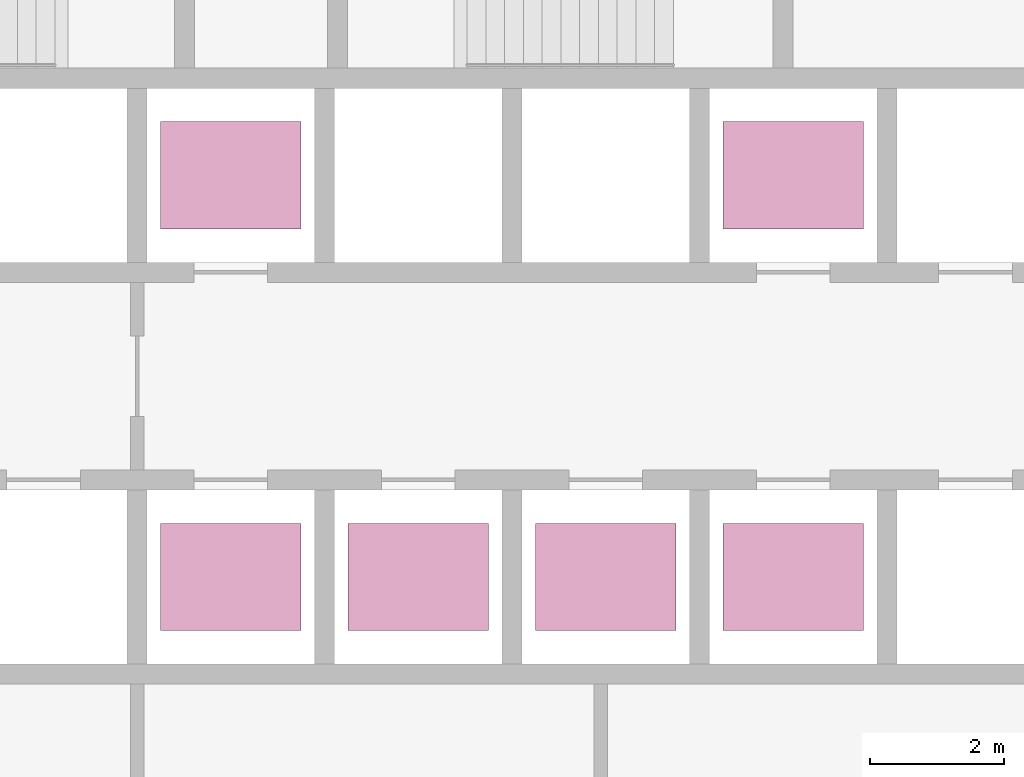
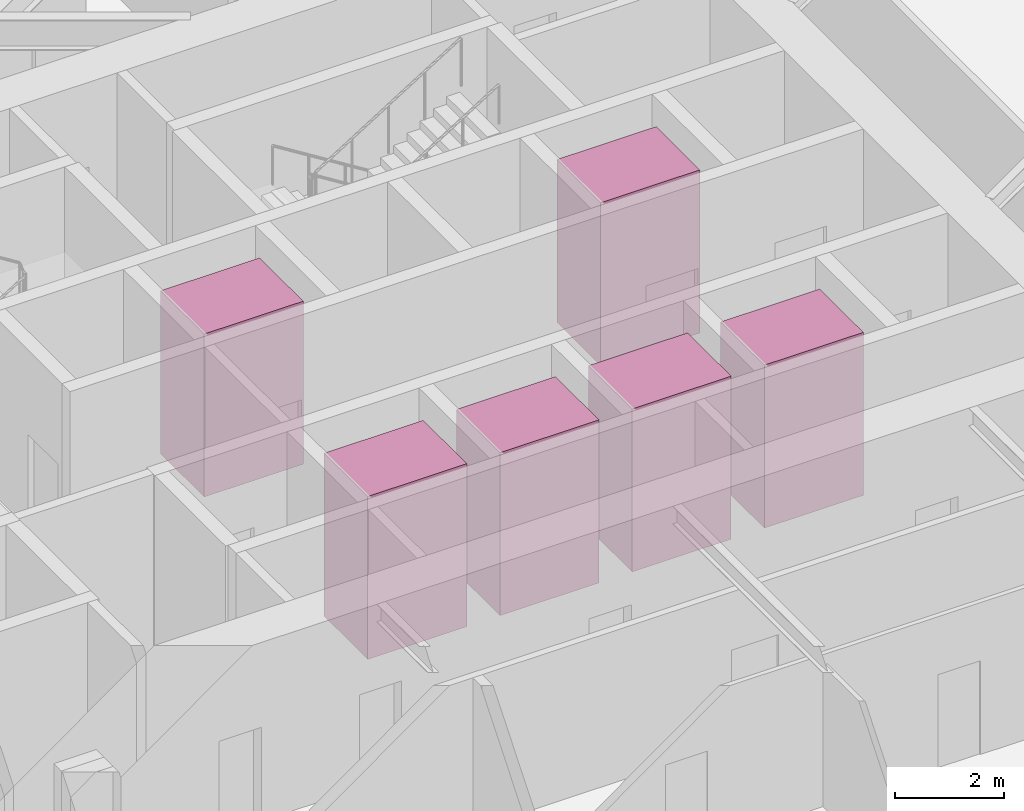
# One storey, part 21 of 21: 6 transport elements.
"""IFC4 building model written with IfcOpenShell, lengths in metres."""

import ifcopenshell
import ifcopenshell.guid

model = None  # the IFC model being written
_history = None  # IfcOwnerHistory: only IFC2X3 demands one
_inside = {}  # id of a spatial element -> (the spatial element, [elements in it])
_under = {}  # id of a project, library or spatial element -> (it, [spatial elements below it])
_declared = {}  # id of a project -> (the project, [libraries it declares])
_typed = {}  # id of a type object -> (the type object, [elements of that type])
_made_of = {}  # id of a material, layer set ... -> (it, [elements and type objects made of it])


def new_model(schema):
    """Start an empty IFC model of exactly this schema.

    Asked for "IFC4X3", IfcOpenShell would pick the latest addendum, in which some entities
    have other attributes; the version numbers below select the first issue.
    IFC2X3 requires an IfcOwnerHistory on every rooted entity: one is made here for all.
    """
    global model, _history
    if schema == "IFC4X3":
        model = ifcopenshell.file(schema_version=(4, 3, 0, 0))
    else:
        model = ifcopenshell.file(schema=schema)
    _inside.clear()
    _under.clear()
    _declared.clear()
    _typed.clear()
    _made_of.clear()
    _history = None
    if model.schema == "IFC2X3":
        org = make("IfcOrganization", Name="unknown")
        user = make(
            "IfcPersonAndOrganization",
            ThePerson=make("IfcPerson", FamilyName="unknown"),
            TheOrganization=org,
        )
        app = make(
            "IfcApplication",
            ApplicationDeveloper=org,
            Version="unknown",
            ApplicationFullName="unknown",
            ApplicationIdentifier="unknown",
        )
        _history = make(
            "IfcOwnerHistory",
            OwningUser=user,
            OwningApplication=app,
            ChangeAction="ADDED",
            CreationDate=0,
        )
    return model


def make(cls, **values):
    """One entity of the class cls with the attributes given. An attribute that is None is left unset."""
    return model.create_entity(
        cls, **{name: value for name, value in values.items() if value is not None}
    )


def rooted(cls, **values):
    """An entity with a GlobalId (a new one), such as an element, a storey or a relation."""
    return make(cls, GlobalId=ifcopenshell.guid.new(), OwnerHistory=_history, **values)


def si_unit(unit_type, name, prefix=None):
    """IfcSIUnit, for example si_unit("LENGTHUNIT", "METRE", prefix="MILLI")."""
    return make("IfcSIUnit", UnitType=unit_type, Prefix=prefix, Name=name)


def assignment(units):
    """IfcUnitAssignment: the units of a project."""
    return None if units is None else make("IfcUnitAssignment", Units=units)


def point(xyz):
    """IfcCartesianPoint."""
    return None if xyz is None else make("IfcCartesianPoint", Coordinates=xyz)


def direction(xyz):
    """IfcDirection."""
    return None if xyz is None else make("IfcDirection", DirectionRatios=xyz)


def frame(location, z_axis=None, x_axis=None):
    """IfcAxis2Placement3D, a coordinate frame: its origin and axes. An axis left out is left unset."""
    return make(
        "IfcAxis2Placement3D",
        Location=point(location),
        Axis=direction(z_axis),
        RefDirection=direction(x_axis),
    )


def frame_2d(location, x_axis=None):
    """IfcAxis2Placement2D, a coordinate frame in the plane: its origin and x axis."""
    return make(
        "IfcAxis2Placement2D", Location=point(location), RefDirection=direction(x_axis)
    )


def origin():
    """The frame at (0, 0, 0) with its axes left unset."""
    return frame((0.0, 0.0, 0.0))


def origin_2d():
    """The frame at (0, 0) in the plane with its x axis left unset."""
    return frame_2d((0.0, 0.0))


def place(relative_to, where):
    """IfcLocalPlacement: puts the frame where relative to a parent placement (None: the world)."""
    return make(
        "IfcLocalPlacement", PlacementRelTo=relative_to, RelativePlacement=where
    )


def context(
    kind, dimensions, precision=None, world=None, true_north=None, identifier=None
):
    """IfcGeometricRepresentationContext, for example the 3D "Model" context."""
    return make(
        "IfcGeometricRepresentationContext",
        ContextIdentifier=identifier,
        ContextType=kind,
        CoordinateSpaceDimension=dimensions,
        Precision=precision,
        WorldCoordinateSystem=world,
        TrueNorth=true_north,
    )


def subcontext(parent, identifier, kind, view, scale=None):
    """IfcGeometricRepresentationSubContext, for example "Body" below "Model"."""
    return make(
        "IfcGeometricRepresentationSubContext",
        ContextIdentifier=identifier,
        ContextType=kind,
        ParentContext=parent,
        TargetScale=scale,
        TargetView=view,
    )


def project(units=None, contexts=None):
    """IfcProject with its units and contexts."""
    return rooted(
        "IfcProject",
        Name="project",
        RepresentationContexts=contexts,
        UnitsInContext=assignment(units),
    )


def spatial(cls, under=None, at=None, **own):
    """A site, building, storey or space (cls), placed at a placement, below another one or the project."""
    s = rooted(cls, ObjectPlacement=at, **own)
    if under is not None:
        _under.setdefault(under.id(), (under, []))[1].append(s)
    return s


def profile(cls, at=None, kind="AREA", **sizes):
    """A parametric profile (cls). Its sizes go by their IFC names, for example OverallWidth=200.0."""
    return make(cls, ProfileType=kind, Position=at, **sizes)


def rectangle(**sizes):
    """IfcRectangleProfileDef."""
    return profile("IfcRectangleProfileDef", **sizes)


def extrude(swept, where, along, depth):
    """IfcExtrudedAreaSolid: the profile swept, set in the frame where, extruded along a direction by depth."""
    return make(
        "IfcExtrudedAreaSolid",
        SweptArea=swept,
        Position=where,
        ExtrudedDirection=direction(along),
        Depth=depth,
    )


def shape(context_of_items, identifier, shape_type, items):
    """IfcShapeRepresentation: the items that make up one representation, for example the "Body"."""
    return make(
        "IfcShapeRepresentation",
        ContextOfItems=context_of_items,
        RepresentationIdentifier=identifier,
        RepresentationType=shape_type,
        Items=items,
    )


def material(Name=None, Category=None):
    """IfcMaterial."""
    return make("IfcMaterial", Name=Name, Category=Category)


def made_of(thing, what):
    """Note that an element or type object is made of a material, layer set ...; save() writes the relation."""
    if what is not None:
        _made_of.setdefault(what.id(), (what, []))[1].append(thing)
    return thing


def type_object(cls, material=None, **own):
    """A type object (cls), such as IfcWallType, which elements share."""
    return made_of(rooted(cls, **own), material)


def element(
    cls,
    number,
    at=None,
    inside=None,
    cuts=None,
    type_object=None,
    material=None,
    context=None,
    identifier="Body",
    shape_type=None,
    held_by="IfcProductDefinitionShape",
    body=None,
    shapes=None,
    **own,
):
    """One element of the class cls, such as IfcWall. Its Tag is "e" and its number.

    at: its placement. inside: the storey or other place that contains it. cuts: it is an
    opening in that element (IfcRelVoidsElement). A single representation is given by context,
    identifier, shape_type and body (its items); several are given by shapes. held_by: the class
    of the entity that holds the representations. save() writes the other relations.
    """
    e = rooted(cls, Tag="e%d" % number, ObjectPlacement=at, **own)
    if body is not None:
        shapes = [shape(context, identifier, shape_type, body)]
    if shapes is not None:
        e.Representation = make(held_by, Representations=shapes)
    if inside is not None:
        _inside.setdefault(inside.id(), (inside, []))[1].append(e)
    if cuts is not None:
        rooted(
            "IfcRelVoidsElement", RelatingBuildingElement=cuts, RelatedOpeningElement=e
        )
    if type_object is not None:
        _typed.setdefault(type_object.id(), (type_object, []))[1].append(e)
    return made_of(e, material)


def aggregate(whole, parts):
    """IfcRelAggregates: a whole, such as a stair, and the parts it consists of."""
    return rooted("IfcRelAggregates", RelatingObject=whole, RelatedObjects=parts)


def save(model, path):
    """Write the relations noted so far, then the file.

    IfcRelAggregates (storeys below a building ...), IfcRelContainedInSpatialStructure (elements
    in a storey), IfcRelDefinesByType, IfcRelAssociatesMaterial and IfcRelDeclares: one each for
    every whole, place, type object, material and project.
    """
    for whole, parts in _under.values():
        aggregate(whole, parts)
    for where, things in _inside.values():
        rooted(
            "IfcRelContainedInSpatialStructure",
            RelatedElements=things,
            RelatingStructure=where,
        )
    for kind, things in _typed.values():
        rooted("IfcRelDefinesByType", RelatedObjects=things, RelatingType=kind)
    for what, things in _made_of.values():
        rooted("IfcRelAssociatesMaterial", RelatedObjects=things, RelatingMaterial=what)
    for by, libraries in _declared.values():
        rooted("IfcRelDeclares", RelatingContext=by, RelatedDefinitions=libraries)
    model.write(path)


model = new_model("IFC4")

# Units and contexts
model_context = context("Model", 3, precision=1e-05, world=origin(), true_north=direction((0.0, 1.0)))
body_context = subcontext(model_context, "Body", "Model", "MODEL_VIEW")
ifc_project = project(units=[si_unit("LENGTHUNIT", "METRE"), si_unit("AREAUNIT", "SQUARE_METRE"), si_unit("VOLUMEUNIT", "CUBIC_METRE"), si_unit("PLANEANGLEUNIT", "RADIAN"), si_unit("MASSUNIT", "GRAM", prefix="KILO")], contexts=[model_context])

# Site, building, storey
site_placement = place(None, origin())
site = spatial("IfcSite", under=ifc_project, at=site_placement, CompositionType="ELEMENT")
building_placement = place(site_placement, origin())
building = spatial("IfcBuilding", under=site, at=building_placement, Name="Firuza Gate Tower and Library", CompositionType="ELEMENT")
storey_placement = place(building_placement, frame((0.0, 0.0, 90.39990234375)))
storey = spatial("IfcBuildingStorey", under=building, at=storey_placement, Name="L20", CompositionType="ELEMENT", Elevation=90.39990234375)

# Transport elements
ifc_material = material(Name="Stainless steel and glass", Category="steel")
transport_element_type = type_object("IfcTransportElementType", Name="Low-rise lift car 2100x1600", PredefinedType="ELEVATOR", material=ifc_material)
for number, where, z_axis, x_axis, name in (
    (1, (74.64990234375, 70.300048828125, 0.000244140625), (0.0, 0.0, 1.0), (1.0, 0.0, 0.0), "Low-rise lift LR1"),
    (2, (77.449951171875, 70.300048828125, 0.000244140625), (0.0, 0.0, 1.0), (1.0, 0.0, 0.0), "Low-rise lift LR2"),
    (3, (80.25, 70.300048828125, 0.000244140625), (0.0, 0.0, 1.0), (1.0, 0.0, 0.0), "Low-rise lift LR3"),
    (4, (74.64990234375, 76.300048828125, 0.000244140625), (0.0, 0.0, 1.0), (1.0, 0.0, 0.0), "Low-rise lift LR4"),
    (5, (83.050048828125, 70.300048828125, 0.000244140625), (0.0, 0.0, 1.0), (1.0, 0.0, 0.0), "Low-rise lift LR5"),
    (6, (83.050048828125, 76.300048828125, 0.000244140625), (0.0, 0.0, 1.0), (1.0, 0.0, 0.0), "Low-rise lift LR6"),
):
    element("IfcTransportElement", number, at=place(storey_placement, frame(where, z_axis=z_axis, x_axis=x_axis)), inside=storey, type_object=transport_element_type, Name=name, PredefinedType="ELEVATOR", context=body_context, shape_type="SweptSolid", body=[
        extrude(rectangle(XDim=2.10009765625, YDim=1.60009765625, at=origin_2d()), origin(), (0.0, 0.0, 1.0), 3.64990234375),
    ])

save(model, "model.ifc")
